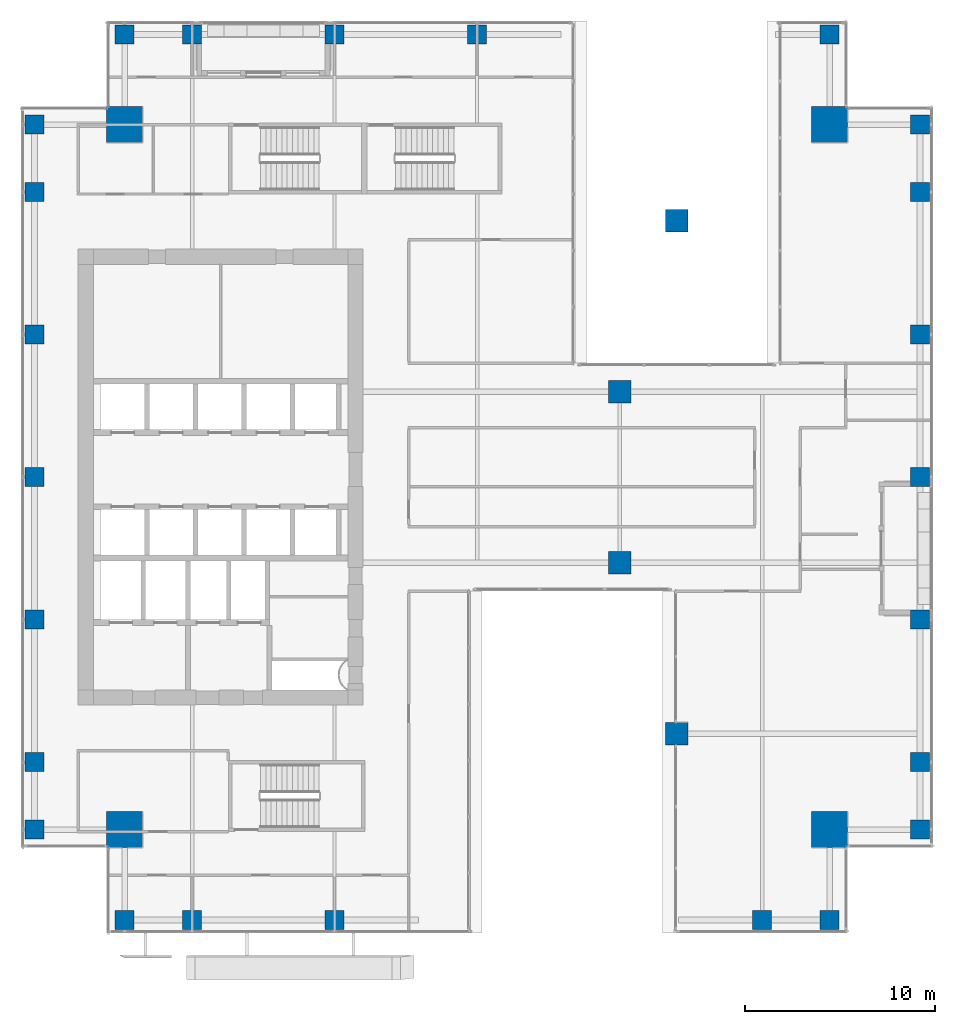
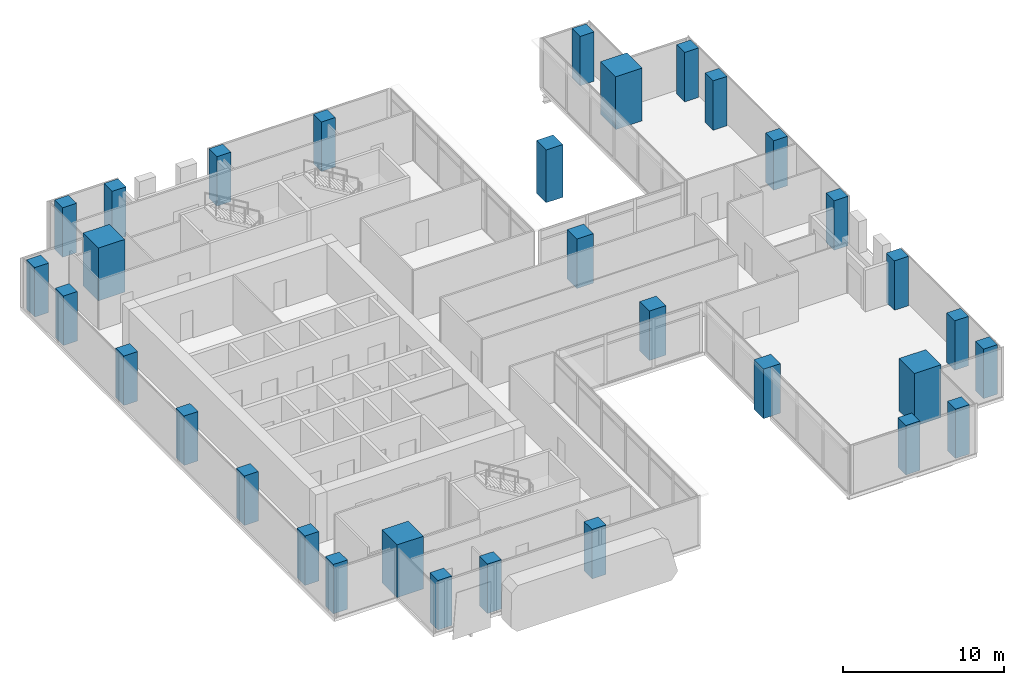
# One storey, part 1 of 38: 32 columns.
"""IFC4 building model written with IfcOpenShell, lengths in metres."""

from ifc_helpers import new_model, si_unit, direction, frame, origin, origin_2d, place, context, subcontext, project, spatial, rectangle, extrude, source, transform, mapped, material, material_profile, profile_set, type_object, element, save


model = new_model("IFC4")

# Units and contexts
model_context = context("Model", 3, precision=1e-05, world=origin(), true_north=direction((0.0, 1.0)))
body_context = subcontext(model_context, "Body", "Model", "MODEL_VIEW")
ifc_project = project(units=[si_unit("LENGTHUNIT", "METRE"), si_unit("AREAUNIT", "SQUARE_METRE"), si_unit("VOLUMEUNIT", "CUBIC_METRE"), si_unit("PLANEANGLEUNIT", "RADIAN"), si_unit("MASSUNIT", "GRAM", prefix="KILO")], contexts=[model_context])

# Site, building, storey
site_placement = place(None, origin())
site = spatial("IfcSite", under=ifc_project, at=site_placement, CompositionType="ELEMENT")
building_placement = place(site_placement, origin())
building = spatial("IfcBuilding", under=site, at=building_placement, Name="Khomas Fold Tower", CompositionType="ELEMENT")
storey_placement = place(building_placement, frame((0.0, 0.0, 172.699951171875)))
storey = spatial("IfcBuildingStorey", under=building, at=storey_placement, Name="L37", CompositionType="ELEMENT", Elevation=172.699951171875)

# Columns
ifc_material_1 = material(Name="Concrete C60/75", Category="concrete")
ifc_material_profile_1 = material_profile(ifc_material_1, rectangle(XDim=1.199951171875, YDim=1.199951171875, at=origin_2d()), Name="RC 1200x1200")
ifc_profile_set_1 = profile_set([ifc_material_profile_1], Name="Concrete C60/75")
column_type_1 = type_object("IfcColumnType", Name="RC 1200x1200 column", PredefinedType="COLUMN", material=ifc_profile_set_1)
shared_shape_1 = source(origin(), body_context, "Body", "SweptSolid", [
    extrude(rectangle(XDim=1.199951171875, YDim=1.199951171875, at=origin_2d()), origin(), (0.0, 0.0, 1.0), 4.0),
])
column_placement = place(storey_placement, frame((37.5, 40.5, 0.0), z_axis=(0.0, 0.0, 1.0), x_axis=(1.0, 0.0, 0.0)))
element("IfcColumn", 1, at=column_placement, inside=storey, type_object=column_type_1, Name="C-11-P", PredefinedType="COLUMN", context=body_context, shape_type="MappedRepresentation", body=[
    mapped(shared_shape_1, transform((0.0, 0.0, 0.0))),
])
ifc_material_2 = material(Name="Concrete C60/75", Category="concrete")
ifc_material_profile_2 = material_profile(ifc_material_2, rectangle(XDim=1.89990234375, YDim=1.89990234375, at=origin_2d()), Name="RC 1900x1900")
ifc_profile_set_2 = profile_set([ifc_material_profile_2], Name="Concrete C60/75")
column_type_2 = type_object("IfcColumnType", Name="RC 1900x1900 column", PredefinedType="COLUMN", material=ifc_profile_set_2)
shared_shape_2 = source(origin(), body_context, "Body", "SweptSolid", [
    extrude(rectangle(XDim=1.89990234375, YDim=1.89990234375, at=origin_2d()), origin(), (0.0, 0.0, 1.0), 4.0),
])
for number, where, z_axis, x_axis, name in (
    (2, (45.550048828125, 45.550048828125, 0.0), (0.0, 0.0, 1.0), (1.0, 0.0, 0.0), "CM-NE"),
    (3, (8.449951171875, 45.550048828125, 0.0), (0.0, 0.0, 1.0), (1.0, 0.0, 0.0), "CM-NW"),
    (4, (45.550048828125, 8.449951171875, 0.0), (0.0, 0.0, 1.0), (1.0, 0.0, 0.0), "CM-SE"),
    (5, (8.449951171875, 8.449951171875, 0.0), (0.0, 0.0, 1.0), (1.0, 0.0, 0.0), "CM-SW"),
):
    element("IfcColumn", number, at=place(storey_placement, frame(where, z_axis=z_axis, x_axis=x_axis)), inside=storey, type_object=column_type_2, Name=name, PredefinedType="COLUMN", context=body_context, shape_type="MappedRepresentation", body=[
        mapped(shared_shape_2, transform((0.0, 0.0, 0.0))),
    ])
ifc_material_3 = material(Name="Concrete C50/60", Category="concrete")
ifc_material_profile_3 = material_profile(ifc_material_3, rectangle(XDim=1.0, YDim=1.0, at=origin_2d()), Name="RC 1000x1000")
ifc_profile_set_3 = profile_set([ifc_material_profile_3], Name="Concrete C50/60")
column_type_3 = type_object("IfcColumnType", Name="RC 1000x1000 column", PredefinedType="COLUMN", material=ifc_profile_set_3)
shared_shape_3 = source(origin(), body_context, "Body", "SweptSolid", [
    extrude(rectangle(XDim=1.0, YDim=1.0, at=origin_2d()), origin(), (0.0, 0.0, 1.0), 3.75),
])
for number, where, z_axis, x_axis, name in (
    (6, (8.449951171875, 3.699951171875, 0.0), (0.0, 0.0, 1.0), (1.0, 0.0, 0.0), "C-4-SF3"),
    (7, (12.0, 3.699951171875, 0.0), (0.0, 0.0, 1.0), (1.0, 0.0, 0.0), "C-6-SF3"),
    (8, (19.5, 3.699951171875, 0.0), (0.0, 0.0, 1.0), (1.0, 0.0, 0.0), "C-8-SF3"),
    (9, (42.0, 3.699951171875, 0.0), (0.0, 0.0, 1.0), (1.0, 0.0, 0.0), "C-13-SF3"),
    (10, (45.550048828125, 3.699951171875, 0.0), (0.0, 0.0, 1.0), (1.0, 0.0, 0.0), "C-15-SF3"),
    (11, (50.300048828125, 8.449951171875, 0.0), (0.0, 0.0, 1.0), (1.0, 0.0, 0.0), "C-E3-D"),
    (12, (50.300048828125, 12.0, 0.0), (0.0, 0.0, 1.0), (1.0, 0.0, 0.0), "C-E3-F"),
    (13, (50.300048828125, 19.5, 0.0), (0.0, 0.0, 1.0), (1.0, 0.0, 0.0), "C-E3-J"),
    (14, (50.300048828125, 27.0, 0.0), (0.0, 0.0, 1.0), (1.0, 0.0, 0.0), "C-E3-L"),
    (15, (50.300048828125, 34.5, 0.0), (0.0, 0.0, 1.0), (1.0, 0.0, 0.0), "C-E3-N"),
    (16, (50.300048828125, 42.0, 0.0), (0.0, 0.0, 1.0), (1.0, 0.0, 0.0), "C-E3-R"),
    (17, (50.300048828125, 45.550048828125, 0.0), (0.0, 0.0, 1.0), (1.0, 0.0, 0.0), "C-E3-T"),
    (18, (8.449951171875, 50.300048828125, 0.0), (0.0, 0.0, 1.0), (1.0, 0.0, 0.0), "C-4-NF3"),
    (19, (12.0, 50.300048828125, 0.0), (0.0, 0.0, 1.0), (1.0, 0.0, 0.0), "C-6-NF3"),
    (20, (19.5, 50.300048828125, 0.0), (0.0, 0.0, 1.0), (1.0, 0.0, 0.0), "C-8-NF3"),
    (21, (27.0, 50.300048828125, 0.0), (0.0, 0.0, 1.0), (1.0, 0.0, 0.0), "C-9-NF3"),
    (22, (45.550048828125, 50.300048828125, 0.0), (0.0, 0.0, 1.0), (1.0, 0.0, 0.0), "C-15-NF3"),
    (23, (3.699951171875, 8.449951171875, 0.0), (0.0, 0.0, 1.0), (1.0, 0.0, 0.0), "C-W3-D"),
    (24, (3.699951171875, 12.0, 0.0), (0.0, 0.0, 1.0), (1.0, 0.0, 0.0), "C-W3-F"),
    (25, (3.699951171875, 19.5, 0.0), (0.0, 0.0, 1.0), (1.0, 0.0, 0.0), "C-W3-J"),
    (26, (3.699951171875, 27.0, 0.0), (0.0, 0.0, 1.0), (1.0, 0.0, 0.0), "C-W3-L"),
    (27, (3.699951171875, 34.5, 0.0), (0.0, 0.0, 1.0), (1.0, 0.0, 0.0), "C-W3-N"),
    (28, (3.699951171875, 42.0, 0.0), (0.0, 0.0, 1.0), (1.0, 0.0, 0.0), "C-W3-R"),
    (29, (3.699951171875, 45.550048828125, 0.0), (0.0, 0.0, 1.0), (1.0, 0.0, 0.0), "C-W3-T"),
):
    element("IfcColumn", number, at=place(storey_placement, frame(where, z_axis=z_axis, x_axis=x_axis)), inside=storey, type_object=column_type_3, Name=name, PredefinedType="COLUMN", context=body_context, shape_type="MappedRepresentation", body=[
        mapped(shared_shape_3, transform((0.0, 0.0, 0.0))),
    ])
shared_shape_4 = source(origin(), body_context, "Body", "SweptSolid", [
    extrude(rectangle(XDim=1.199951171875, YDim=1.199951171875, at=origin_2d()), origin(), (0.0, 0.0, 1.0), 3.75),
])
for number, where, z_axis, x_axis, name in (
    (30, (37.5, 13.5, 0.0), (0.0, 0.0, 1.0), (1.0, 0.0, 0.0), "C-11-H"),
    (31, (34.5, 22.5, 0.0), (0.0, 0.0, 1.0), (1.0, 0.0, 0.0), "C-10-K"),
    (32, (34.5, 31.5, 0.0), (0.0, 0.0, 1.0), (1.0, 0.0, 0.0), "C-10-M"),
):
    element("IfcColumn", number, at=place(storey_placement, frame(where, z_axis=z_axis, x_axis=x_axis)), inside=storey, type_object=column_type_1, Name=name, PredefinedType="COLUMN", context=body_context, shape_type="MappedRepresentation", body=[
        mapped(shared_shape_4, transform((0.0, 0.0, 0.0))),
    ])

save(model, "model.ifc")
